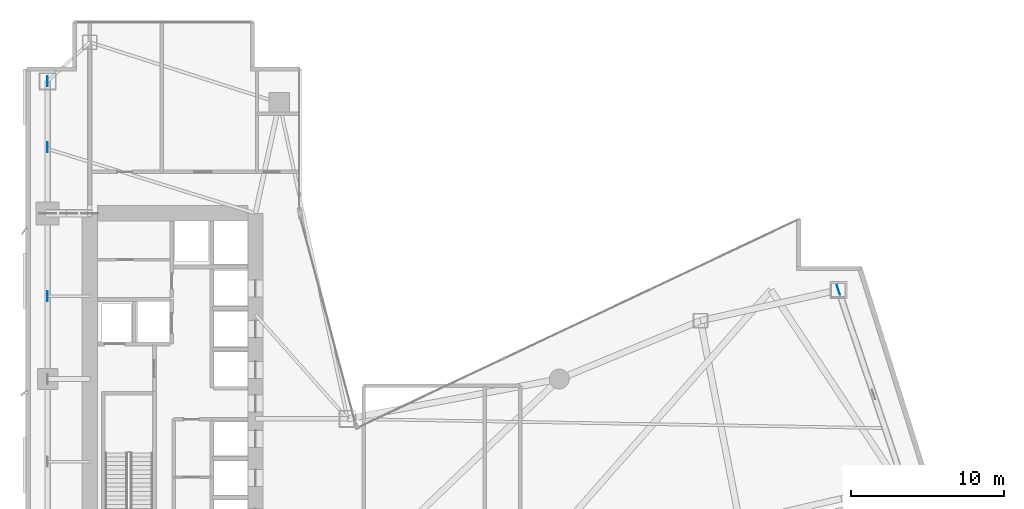
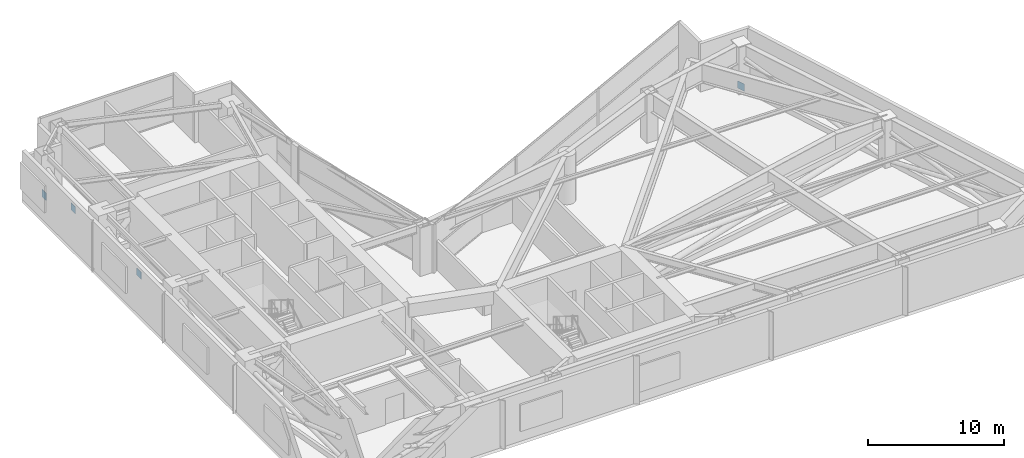
# One storey, part 13 of 18: 4 plates.
"""IFC4 building model written with IfcOpenShell, lengths in metres."""

from ifc_helpers import new_model, si_unit, direction, frame, origin, origin_2d, place, context, subcontext, project, spatial, rectangle, extrude, material, layer, layer_set, type_object, element, save


model = new_model("IFC4")

# Units and contexts
model_context = context("Model", 3, precision=1e-05, world=origin(), true_north=direction((0.0, 1.0)))
body_context = subcontext(model_context, "Body", "Model", "MODEL_VIEW")
ifc_project = project(units=[si_unit("LENGTHUNIT", "METRE"), si_unit("AREAUNIT", "SQUARE_METRE"), si_unit("VOLUMEUNIT", "CUBIC_METRE"), si_unit("PLANEANGLEUNIT", "RADIAN"), si_unit("MASSUNIT", "GRAM", prefix="KILO")], contexts=[model_context])

# Site, building, storey
site_placement = place(None, origin())
site = spatial("IfcSite", under=ifc_project, at=site_placement, CompositionType="ELEMENT")
building_placement = place(site_placement, origin())
building = spatial("IfcBuilding", under=site, at=building_placement, Name="Calvorn Quay Hotel", CompositionType="ELEMENT")
storey_placement = place(building_placement, frame((0.0, 0.0, 92.60009765625)))
storey = spatial("IfcBuildingStorey", under=building, at=storey_placement, Name="L22", CompositionType="ELEMENT", Elevation=92.60009765625)

# Plates
ifc_material = material(Name="Steel Q390GJC", Category="steel")
ifc_layer = layer(ifc_material, 0.035888671875)
ifc_layer_set = layer_set([ifc_layer], Name="PLT-GUSSET-36")
plate_type = type_object("IfcPlateType", Name="PLT-GUSSET-36", PredefinedType="SHEET", material=ifc_layer_set)
for number, where, z_axis, x_axis, name in (
    (1, (1.449951171875, 33.0, 1.425048828125), (0.0, 0.0, 1.0), (0.0, 1.0, 0.0), "Belt Truss Gusset Plate L22-BW3-X"),
    (2, (1.449951171875, 42.699951171875, 1.425048828125), (0.0, 0.0, 1.0), (0.0, 1.0, 0.0), "Belt Truss Gusset Plate L22-BW4-X"),
    (3, (1.449951171875, 47.0, 0.02490234375), (0.0, 0.0, 1.0), (0.0, 1.0, 0.0), "Belt Truss Gusset Plate L22-BW4-B"),
    (4, (52.990966796875, 33.39990234375, 0.02490234375), (0.0, 0.0, 1.0), (-0.319455515932, 0.947601273395, 0.0), "Belt Truss Gusset Plate L22-BE2-B"),
):
    element("IfcPlate", number, at=place(storey_placement, frame(where, z_axis=z_axis, x_axis=x_axis)), inside=storey, type_object=plate_type, Name=name, PredefinedType="SHEET", context=body_context, shape_type="SweptSolid", body=[
        extrude(rectangle(XDim=0.64990234375, YDim=0.035888671875, at=origin_2d()), origin(), (0.0, 0.0, 1.0), 0.64990234375),
    ])

save(model, "model.ifc")
